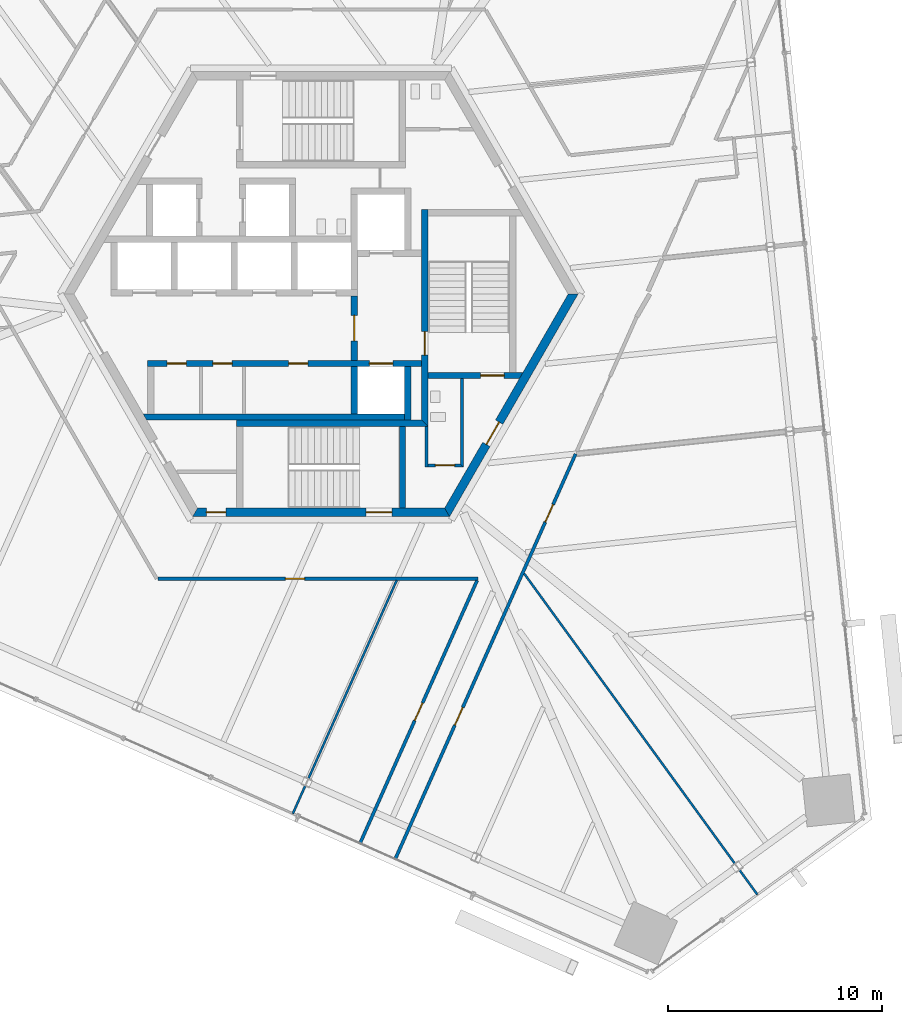
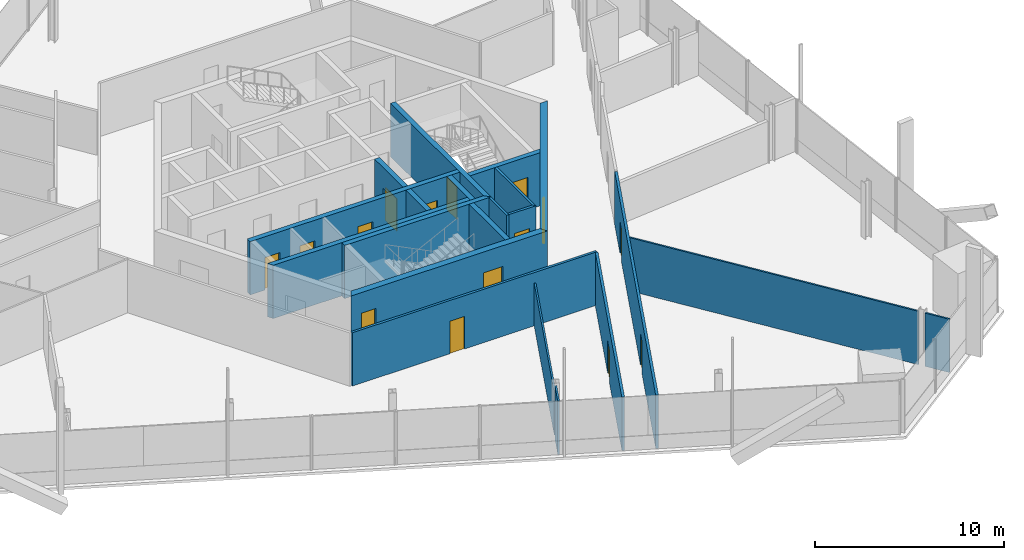
# One storey, part 11 of 21: 21 walls, 15 doors, 15 openings.
"""IFC4 building model written with IfcOpenShell, lengths in metres."""

from ifc_helpers import new_model, si_unit, direction, frame, frame_2d, origin, place, context, subcontext, project, spatial, polyline, rectangle, outline, extrude, source, transform, mapped, material, layer, layer_set, type_object, element, fill, save


model = new_model("IFC4")

# Units and contexts
model_context = context("Model", 3, precision=1e-05, world=origin(), true_north=direction((0.0, 1.0)))
body_context = subcontext(model_context, "Body", "Model", "MODEL_VIEW")
ifc_project = project(units=[si_unit("LENGTHUNIT", "METRE"), si_unit("AREAUNIT", "SQUARE_METRE"), si_unit("VOLUMEUNIT", "CUBIC_METRE"), si_unit("PLANEANGLEUNIT", "RADIAN"), si_unit("MASSUNIT", "GRAM", prefix="KILO")], contexts=[model_context])

# Site, building, storey
site_placement = place(None, origin())
site = spatial("IfcSite", under=ifc_project, at=site_placement, CompositionType="ELEMENT")
building_placement = place(site_placement, origin())
building = spatial("IfcBuilding", under=site, at=building_placement, Name="Triune Harvest Tower", CompositionType="ELEMENT")
storey_placement = place(building_placement, frame((0.0, 0.0, 87.300048828125)))
storey = spatial("IfcBuildingStorey", under=building, at=storey_placement, Name="L21", CompositionType="ELEMENT", Elevation=87.300048828125)

# Wall, opening, door
ifc_material_1 = material(Name="Gypsum board on steel studs", Category="steel")
ifc_layer_1 = layer(ifc_material_1, 0.14990234375)
ifc_layer_set_1 = layer_set([ifc_layer_1], Name="Gypsum board on steel studs")
wall_type_1 = type_object("IfcWallType", Name="Fire Partition 150 mm", PredefinedType="PARTITIONING", material=ifc_layer_set_1)
wall_1_placement = place(storey_placement, frame((-7.624267578125, -13.292236328125, 0.0), z_axis=(0.0, 0.0, 1.0), x_axis=(1.0, 0.0, 0.0)))
wall_1 = element("IfcWall", 1, at=wall_1_placement, inside=storey, type_object=wall_type_1, Name="Partition L21 019", PredefinedType="PARTITIONING", context=body_context, shape_type="SweptSolid", body=[
    extrude(rectangle(XDim=14.94384765625, YDim=0.14990234375, at=frame_2d((7.471923828125, 0.0))), origin(), (0.0, 0.0, 1.0), 3.43994140625),
])
opening_1_placement = place(wall_1_placement, frame((5.956298828125, 0.0, 0.0)))
opening_1 = element("IfcOpeningElement", 2, at=opening_1_placement, cuts=wall_1, Name="Opening L21-019", PredefinedType="OPENING", context=body_context, shape_type="SweptSolid", body=[
    extrude(rectangle(XDim=0.89990234375, YDim=2.10009765625, at=frame_2d((0.449951171875, 1.050048828125))), frame((0.0, 0.0849609375, 0.0), z_axis=(0.0, -1.0, 0.0), x_axis=(1.0, 0.0, 0.0)), (0.0, 0.0, 1.0), 0.169921875),
])
ifc_material_2 = material(Name="Timber and steel door set", Category="steel")
door_type_1 = type_object("IfcDoorType", Name="Single leaf door FD30 right hand 900 x 2100", OperationType="SINGLE_SWING_RIGHT", PredefinedType="DOOR", material=ifc_material_2)
door_1_placement = place(opening_1_placement, origin())
door_1 = element("IfcDoor", 3, at=door_1_placement, inside=storey, type_object=door_type_1, Name="Door L21-019 Open Office 21.19", OperationType="SINGLE_SWING_RIGHT", OverallHeight=2.10009765625, OverallWidth=0.89990234375, PredefinedType="DOOR", context=body_context, shape_type="SweptSolid", body=[
    extrude(rectangle(XDim=0.89990234375, YDim=2.10009765625, at=frame_2d((0.449951171875, 1.050048828125))), frame((0.0, 0.02490234375, 0.0), z_axis=(0.0, -1.0, 0.0), x_axis=(1.0, 0.0, 0.0)), (0.0, 0.0, 1.0), 0.050048828125),
])
fill(opening_1, door_1)

# Wall, openings, doors
wall_2_placement = place(storey_placement, frame((3.460205078125, -26.386474609375, 0.0), z_axis=(0.0, 0.0, 1.0), x_axis=(0.406728921901, 0.913548895292, 0.0)))
wall_2 = element("IfcWall", 4, at=wall_2_placement, inside=storey, type_object=wall_type_1, Name="Partition L21 042", PredefinedType="PARTITIONING", context=body_context, shape_type="SweptSolid", body=[
    extrude(rectangle(XDim=20.713623046875, YDim=0.14990234375, at=frame_2d((10.35693359375, 0.0))), origin(), (0.0, 0.0, 1.0), 3.43994140625),
])
opening_2_placement = place(wall_2_placement, frame((17.226318359375, 0.0, 0.0)))
opening_2 = element("IfcOpeningElement", 5, at=opening_2_placement, cuts=wall_2, Name="Opening L21-001", PredefinedType="OPENING", context=body_context, shape_type="SweptSolid", body=[
    extrude(rectangle(XDim=0.89990234375, YDim=2.10009765625, at=frame_2d((0.449951171875, 1.050048828125))), frame((0.0, 0.0849609375, 0.0), z_axis=(0.0, -1.0, 0.0), x_axis=(1.0, 0.0, 0.0)), (0.0, 0.0, 1.0), 0.169921875),
])
opening_3_placement = place(wall_2_placement, frame((6.85009765625, 0.0, 0.0)))
opening_3 = element("IfcOpeningElement", 6, at=opening_3_placement, cuts=wall_2, Name="Opening L21-021", PredefinedType="OPENING", context=body_context, shape_type="SweptSolid", body=[
    extrude(rectangle(XDim=0.89990234375, YDim=2.10009765625, at=frame_2d((0.449951171875, 1.050048828125))), frame((0.0, 0.0849609375, 0.0), z_axis=(0.0, -1.0, 0.0), x_axis=(1.0, 0.0, 0.0)), (0.0, 0.0, 1.0), 0.169921875),
])
ifc_material_3 = material(Name="Timber and steel door set", Category="steel")
door_type_2 = type_object("IfcDoorType", Name="Single leaf door FD30 left hand 900 x 2100", OperationType="SINGLE_SWING_LEFT", PredefinedType="DOOR", material=ifc_material_3)
door_2_placement = place(opening_2_placement, origin())
door_2 = element("IfcDoor", 7, at=door_2_placement, inside=storey, type_object=door_type_2, Name="Door L21-001 Office 21.01", OperationType="SINGLE_SWING_LEFT", OverallHeight=2.10009765625, OverallWidth=0.89990234375, PredefinedType="DOOR", context=body_context, shape_type="SweptSolid", body=[
    extrude(rectangle(XDim=0.89990234375, YDim=2.10009765625, at=frame_2d((0.449951171875, 1.050048828125))), frame((0.0, 0.02490234375, 0.0), z_axis=(0.0, -1.0, 0.0), x_axis=(1.0, 0.0, 0.0)), (0.0, 0.0, 1.0), 0.050048828125),
])
fill(opening_2, door_2)
door_3_placement = place(opening_3_placement, origin())
door_3 = element("IfcDoor", 8, at=door_3_placement, inside=storey, type_object=door_type_1, Name="Door L21-021 Office 21.21", OperationType="SINGLE_SWING_RIGHT", OverallHeight=2.10009765625, OverallWidth=0.89990234375, PredefinedType="DOOR", context=body_context, shape_type="SweptSolid", body=[
    extrude(rectangle(XDim=0.89990234375, YDim=2.10009765625, at=frame_2d((0.449951171875, 1.050048828125))), frame((0.0, 0.02490234375, 0.0), z_axis=(0.0, -1.0, 0.0), x_axis=(1.0, 0.0, 0.0)), (0.0, 0.0, 1.0), 0.050048828125),
])
fill(opening_3, door_3)

# Wall, opening, door
wall_3_placement = place(storey_placement, frame((1.81591796875, -25.654296875, 0.0), z_axis=(0.0, 0.0, 1.0), x_axis=(0.406734939116, 0.913546216292, 0.0)))
wall_3 = element("IfcWall", 9, at=wall_3_placement, inside=storey, type_object=wall_type_1, Name="Partition L21 048", PredefinedType="PARTITIONING", context=body_context, shape_type="SweptSolid", body=[
    extrude(rectangle(XDim=13.44189453125, YDim=0.14990234375, at=frame_2d((6.720947265625, 0.0))), origin(), (0.0, 0.0, 1.0), 3.43994140625),
])
opening_4_placement = place(wall_3_placement, frame((6.281982421875, 0.0, 0.0)))
opening_4 = element("IfcOpeningElement", 10, at=opening_4_placement, cuts=wall_3, Name="Opening L21-020", PredefinedType="OPENING", context=body_context, shape_type="SweptSolid", body=[
    extrude(rectangle(XDim=0.89990234375, YDim=2.10009765625, at=frame_2d((0.449951171875, 1.050048828125))), frame((0.0, 0.0849609375, 0.0), z_axis=(0.0, -1.0, 0.0), x_axis=(1.0, 0.0, 0.0)), (0.0, 0.0, 1.0), 0.169921875),
])
door_4_placement = place(opening_4_placement, origin())
door_4 = element("IfcDoor", 11, at=door_4_placement, inside=storey, type_object=door_type_2, Name="Door L21-020 Office 21.20", OperationType="SINGLE_SWING_LEFT", OverallHeight=2.10009765625, OverallWidth=0.89990234375, PredefinedType="DOOR", context=body_context, shape_type="SweptSolid", body=[
    extrude(rectangle(XDim=0.89990234375, YDim=2.10009765625, at=frame_2d((0.449951171875, 1.050048828125))), frame((0.0, 0.02490234375, 0.0), z_axis=(0.0, -1.0, 0.0), x_axis=(1.0, 0.0, 0.0)), (0.0, 0.0, 1.0), 0.050048828125),
])
fill(opening_4, door_4)

# Walls
ifc_material_4 = material(Name="Gypsum board on steel studs", Category="steel")
ifc_layer_2 = layer(ifc_material_4, 0.10009765625)
ifc_layer_set_2 = layer_set([ifc_layer_2], Name="Gypsum board on steel studs")
wall_type_2 = type_object("IfcWallType", Name="Partition 100 mm", PredefinedType="PARTITIONING", material=ifc_layer_set_2)
wall_4_placement = place(storey_placement, frame((9.482421875, -13.051513671875, 0.0), z_axis=(0.0, 0.0, 1.0), x_axis=(0.587793365395, -0.809011099799, 0.0)))
element("IfcWall", 12, at=wall_4_placement, inside=storey, type_object=wall_type_2, Name="Partition L21 016", PredefinedType="PARTITIONING", context=body_context, shape_type="SweptSolid", body=[
    extrude(rectangle(XDim=16.73193359375, YDim=0.10009765625, at=frame_2d((8.365966796875, 0.0))), origin(), (0.0, 0.0, 1.0), 3.43994140625),
])
wall_5_placement = place(storey_placement, frame((-0.58984375, -22.62158203125, 0.0), z_axis=(0.0, 0.0, 1.0), x_axis=(0.406757654294, 0.913536102556, 0.0)))
element("IfcWall", 13, at=wall_5_placement, inside=storey, type_object=wall_type_2, Name="Partition L21 051", PredefinedType="PARTITIONING", context=body_context, shape_type="SweptSolid", body=[
    extrude(rectangle(XDim=10.132080078125, YDim=0.10009765625, at=frame_2d((5.06591796875, 0.0))), origin(), (0.0, 0.0, 1.0), 2.7568359375),
])

# Wall, openings, doors
ifc_material_5 = material(Name="Concrete 70 MPa", Category="concrete")
ifc_layer_3 = layer(ifc_material_5, 0.39990234375)
ifc_layer_set_3 = layer_set([ifc_layer_3], Name="Concrete 70 MPa")
wall_type_3 = type_object("IfcWallType", Name="Core wall 400", PredefinedType="SHEAR", material=ifc_layer_set_3)
shared_shape_1 = source(origin(), body_context, "Body", "SweptSolid", [
    extrude(outline(polyline([(-0.115478515625, -0.199951171875), (11.884521484375, -0.199951171875), (11.653564453125, 0.199951171875), (0.115478515625, 0.199951171875), (-0.115478515625, -0.199951171875)])), origin(), (0.0, 0.0, 1.0), 3.43994140625),
])
wall_6_placement = place(storey_placement, frame((-5.884521484375, -10.1923828125, 0.0), z_axis=(0.0, 0.0, 1.0), x_axis=(1.0, 0.0, 0.0)))
wall_6 = element("IfcWall", 14, at=wall_6_placement, inside=storey, type_object=wall_type_3, Name="Hexagon 4 wall", PredefinedType="SHEAR", context=body_context, shape_type="MappedRepresentation", body=[
    mapped(shared_shape_1, transform((0.0, 0.0, 0.0), scale=1.0)),
])
opening_5_placement = place(wall_6_placement, frame((7.984619140625, 0.0, 0.0)))
opening_5 = element("IfcOpeningElement", 15, at=opening_5_placement, cuts=wall_6, Name="Opening CD-S2P", PredefinedType="OPENING", context=body_context, shape_type="SweptSolid", body=[
    extrude(rectangle(XDim=1.199951171875, YDim=2.10009765625, at=frame_2d((0.60009765625, 1.050048828125))), frame((0.0, 0.2099609375, 0.0), z_axis=(0.0, -1.0, 0.0), x_axis=(1.0, 0.0, 0.0)), (0.0, 0.0, 1.0), 0.419921875),
])
opening_6_placement = place(wall_6_placement, frame((0.534423828125, 0.0, 0.0)))
opening_6 = element("IfcOpeningElement", 16, at=opening_6_placement, cuts=wall_6, Name="Opening CD-SWS", PredefinedType="OPENING", context=body_context, shape_type="SweptSolid", body=[
    extrude(rectangle(XDim=0.89990234375, YDim=2.10009765625, at=frame_2d((0.449951171875, 1.050048828125))), frame((0.0, 0.2099609375, 0.0), z_axis=(0.0, -1.0, 0.0), x_axis=(1.0, 0.0, 0.0)), (0.0, 0.0, 1.0), 0.419921875),
])
ifc_material_6 = material(Name="Steel S235", Category="steel")
door_type_3 = type_object("IfcDoorType", Name="Riser door 900 FD120", OperationType="SINGLE_SWING_LEFT", PredefinedType="DOOR", material=ifc_material_6)
door_5_placement = place(opening_6_placement, frame((0.89990234375, 0.0, 0.0), z_axis=(0.0, 0.0, 1.0), x_axis=(-1.0, 0.0, 0.0)))
door_5 = element("IfcDoor", 17, at=door_5_placement, inside=storey, type_object=door_type_3, Name="Door CD-SWS", OperationType="SINGLE_SWING_RIGHT", OverallHeight=2.10009765625, OverallWidth=0.89990234375, PredefinedType="DOOR", context=body_context, shape_type="SweptSolid", body=[
    extrude(rectangle(XDim=0.89990234375, YDim=2.10009765625, at=frame_2d((0.449951171875, 1.050048828125))), frame((0.0, 0.02490234375, 0.0), z_axis=(0.0, -1.0, 0.0), x_axis=(1.0, 0.0, 0.0)), (0.0, 0.0, 1.0), 0.050048828125),
])
fill(opening_6, door_5)
ifc_material_7 = material(Name="Steel S235", Category="steel")
door_type_4 = type_object("IfcDoorType", Name="Stair door 1200 FD120", OperationType="SINGLE_SWING_LEFT", PredefinedType="DOOR", material=ifc_material_7)
door_6_placement = place(opening_5_placement, frame((1.199951171875, 0.0, 0.0), z_axis=(0.0, 0.0, 1.0), x_axis=(-1.0, 0.0, 0.0)))
door_6 = element("IfcDoor", 18, at=door_6_placement, inside=storey, type_object=door_type_4, Name="Door CD-S2P", OperationType="SINGLE_SWING_RIGHT", OverallHeight=2.10009765625, OverallWidth=1.199951171875, PredefinedType="DOOR", context=body_context, shape_type="SweptSolid", body=[
    extrude(rectangle(XDim=1.199951171875, YDim=2.10009765625, at=frame_2d((0.60009765625, 1.050048828125))), frame((0.0, 0.02490234375, 0.0), z_axis=(0.0, -1.0, 0.0), x_axis=(1.0, 0.0, 0.0)), (0.0, 0.0, 1.0), 0.050048828125),
])
fill(opening_5, door_6)

# Wall, opening, door
wall_7_placement = place(storey_placement, frame((5.884521484375, -10.1923828125, 0.0), z_axis=(0.0, 0.0, 1.0), x_axis=(0.499996592174, 0.866027371285, 0.0)))
wall_7 = element("IfcWall", 19, at=wall_7_placement, inside=storey, type_object=wall_type_3, Name="Hexagon 5 wall", PredefinedType="SHEAR", context=body_context, shape_type="MappedRepresentation", body=[
    mapped(shared_shape_1, transform((0.0, 0.0, 0.0), scale=1.0)),
])
opening_7_placement = place(wall_7_placement, frame((3.66455078125, 0.0, 0.0)))
opening_7 = element("IfcOpeningElement", 20, at=opening_7_placement, cuts=wall_7, Name="Opening CD-DP", PredefinedType="OPENING", context=body_context, shape_type="SweptSolid", body=[
    extrude(rectangle(XDim=1.199951171875, YDim=2.10009765625, at=frame_2d((0.60009765625, 1.050048828125))), frame((0.0, 0.2099609375, 0.0), z_axis=(0.0, -1.0, 0.0), x_axis=(1.0, 0.0, 0.0)), (0.0, 0.0, 1.0), 0.419921875),
])
door_7_placement = place(opening_7_placement, frame((1.199951171875, 0.0, 0.0), z_axis=(0.0, 0.0, 1.0), x_axis=(-1.0, 0.0, 0.0)))
door_7 = element("IfcDoor", 21, at=door_7_placement, inside=storey, type_object=door_type_4, Name="Door CD-DP", OperationType="SINGLE_SWING_RIGHT", OverallHeight=2.10009765625, OverallWidth=1.199951171875, PredefinedType="DOOR", context=body_context, shape_type="SweptSolid", body=[
    extrude(rectangle(XDim=1.199951171875, YDim=2.10009765625, at=frame_2d((0.60009765625, 1.050048828125))), frame((0.0, 0.02490234375, 0.0), z_axis=(0.0, -1.0, 0.0), x_axis=(1.0, 0.0, 0.0)), (0.0, 0.0, 1.0), 0.050048828125),
])
fill(opening_7, door_7)

# Wall
ifc_material_8 = material(Name="Concrete 70 MPa", Category="concrete")
ifc_layer_4 = layer(ifc_material_8, 0.300048828125)
ifc_layer_set_4 = layer_set([ifc_layer_4], Name="Concrete 70 MPa")
wall_type_4 = type_object("IfcWallType", Name="Core wall 300", PredefinedType="SHEAR", material=ifc_layer_set_4)
shared_shape_2 = source(origin(), body_context, "Body", "SweptSolid", [
    extrude(rectangle(XDim=2.5, YDim=0.300048828125, at=frame_2d((1.25, 0.0))), origin(), (0.0, 0.0, 1.0), 3.43994140625),
])
wall_8_placement = place(storey_placement, frame((4.050048828125, -5.889892578125, 0.0), z_axis=(0.0, 0.0, 1.0), x_axis=(0.0, 1.0, 0.0)))
element("IfcWall", 22, at=wall_8_placement, inside=storey, type_object=wall_type_4, Name="Ff2 east wall", PredefinedType="SHEAR", context=body_context, shape_type="MappedRepresentation", body=[
    mapped(shared_shape_2, transform((0.0, 0.0, 0.0), scale=1.0)),
])

# Wall, opening, door
shared_shape_3 = source(origin(), body_context, "Body", "SweptSolid", [
    extrude(rectangle(XDim=3.0, YDim=0.300048828125, at=frame_2d((1.5, 0.0))), origin(), (0.0, 0.0, 1.0), 3.43994140625),
])
wall_9_placement = place(storey_placement, frame((1.550048828125, -3.090087890625, 0.0), z_axis=(0.0, 0.0, 1.0), x_axis=(0.0, 1.0, 0.0)))
wall_9 = element("IfcWall", 23, at=wall_9_placement, inside=storey, type_object=wall_type_4, Name="Ff lobby west wall", PredefinedType="SHEAR", context=body_context, shape_type="MappedRepresentation", body=[
    mapped(shared_shape_3, transform((0.0, 0.0, 0.0), scale=1.0)),
])
opening_8_placement = place(wall_9_placement, frame((0.89990234375, 0.0, 0.0)))
opening_8 = element("IfcOpeningElement", 24, at=opening_8_placement, cuts=wall_9, Name="Opening CD-FL", PredefinedType="OPENING", context=body_context, shape_type="SweptSolid", body=[
    extrude(rectangle(XDim=1.199951171875, YDim=2.10009765625, at=frame_2d((0.60009765625, 1.050048828125))), frame((0.0, 0.16015625, 0.0), z_axis=(0.0, -1.0, 0.0), x_axis=(1.0, 0.0, 0.0)), (0.0, 0.0, 1.0), 0.320068359375),
])
ifc_material_9 = material(Name="Steel S235", Category="steel")
door_type_5 = type_object("IfcDoorType", Name="Firefighters' lobby door 1200 FD120", OperationType="SINGLE_SWING_LEFT", PredefinedType="DOOR", material=ifc_material_9)
door_8_placement = place(opening_8_placement, frame((1.199951171875, 0.0, 0.0), z_axis=(0.0, 0.0, 1.0), x_axis=(-1.0, 0.0, 0.0)))
door_8 = element("IfcDoor", 25, at=door_8_placement, inside=storey, type_object=door_type_5, Name="Door CD-FL", OperationType="SINGLE_SWING_RIGHT", OverallHeight=2.10009765625, OverallWidth=1.199951171875, PredefinedType="DOOR", context=body_context, shape_type="SweptSolid", body=[
    extrude(rectangle(XDim=1.199951171875, YDim=2.10009765625, at=frame_2d((0.60009765625, 1.050048828125))), frame((0.0, 0.02490234375, 0.0), z_axis=(0.0, -1.0, 0.0), x_axis=(1.0, 0.0, 0.0)), (0.0, 0.0, 1.0), 0.050048828125),
])
fill(opening_8, door_8)

# Wall, openings, doors
shared_shape_4 = source(origin(), body_context, "Body", "SweptSolid", [
    extrude(rectangle(XDim=12.800048828125, YDim=0.300048828125, at=frame_2d((6.39990234375, 0.0))), origin(), (0.0, 0.0, 1.0), 3.43994140625),
])
wall_10_placement = place(storey_placement, frame((-8.10009765625, -3.239990234375, 0.0), z_axis=(0.0, 0.0, 1.0), x_axis=(1.0, 0.0, 0.0)))
wall_10 = element("IfcWall", 26, at=wall_10_placement, inside=storey, type_object=wall_type_4, Name="South front wall", PredefinedType="SHEAR", context=body_context, shape_type="MappedRepresentation", body=[
    mapped(shared_shape_4, transform((0.0, 0.0, 0.0), scale=1.0)),
])
opening_9_placement = place(wall_10_placement, frame((0.91259765625, 0.0, 0.0)))
opening_9 = element("IfcOpeningElement", 27, at=opening_9_placement, cuts=wall_10, Name="Opening CD-RS1", PredefinedType="OPENING", context=body_context, shape_type="SweptSolid", body=[
    extrude(rectangle(XDim=0.89990234375, YDim=2.10009765625, at=frame_2d((0.449951171875, 1.050048828125))), frame((0.0, 0.16015625, 0.0), z_axis=(0.0, -1.0, 0.0), x_axis=(1.0, 0.0, 0.0)), (0.0, 0.0, 1.0), 0.320068359375),
])
opening_10_placement = place(wall_10_placement, frame((3.050048828125, 0.0, 0.0)))
opening_10 = element("IfcOpeningElement", 28, at=opening_10_placement, cuts=wall_10, Name="Opening CD-RS2", PredefinedType="OPENING", context=body_context, shape_type="SweptSolid", body=[
    extrude(rectangle(XDim=0.89990234375, YDim=2.10009765625, at=frame_2d((0.449951171875, 1.050048828125))), frame((0.0, 0.16015625, 0.0), z_axis=(0.0, -1.0, 0.0), x_axis=(1.0, 0.0, 0.0)), (0.0, 0.0, 1.0), 0.320068359375),
])
opening_11_placement = place(wall_10_placement, frame((6.58740234375, 0.0, 0.0)))
opening_11 = element("IfcOpeningElement", 29, at=opening_11_placement, cuts=wall_10, Name="Opening CD-RS3", PredefinedType="OPENING", context=body_context, shape_type="SweptSolid", body=[
    extrude(rectangle(XDim=0.89990234375, YDim=2.10009765625, at=frame_2d((0.449951171875, 1.050048828125))), frame((0.0, 0.16015625, 0.0), z_axis=(0.0, -1.0, 0.0), x_axis=(1.0, 0.0, 0.0)), (0.0, 0.0, 1.0), 0.320068359375),
])
opening_12_placement = place(wall_10_placement, frame((10.35009765625, 0.0, 0.0)))
opening_12 = element("IfcOpeningElement", 30, at=opening_12_placement, cuts=wall_10, Name="Opening LD-FF2-21", PredefinedType="OPENING", context=body_context, shape_type="SweptSolid", body=[
    extrude(rectangle(XDim=1.10009765625, YDim=2.10009765625, at=frame_2d((0.550048828125, 1.050048828125))), frame((0.0, 0.16015625, 0.0), z_axis=(0.0, -1.0, 0.0), x_axis=(1.0, 0.0, 0.0)), (0.0, 0.0, 1.0), 0.320068359375),
])
ifc_material_10 = material(Name="Stainless steel AISI 304", Category="steel")
door_type_6 = type_object("IfcDoorType", Name="Landing door 1100 x 2100", OperationType="DOUBLE_DOOR_SLIDING", PredefinedType="DOOR", material=ifc_material_10)
door_9_placement = place(opening_12_placement, origin())
door_9 = element("IfcDoor", 31, at=door_9_placement, inside=storey, type_object=door_type_6, Name="Door LD-FF2-21", OperationType="DOUBLE_DOOR_SLIDING", OverallHeight=2.10009765625, OverallWidth=1.10009765625, PredefinedType="DOOR", context=body_context, shape_type="SweptSolid", body=[
    extrude(rectangle(XDim=1.10009765625, YDim=2.10009765625, at=frame_2d((0.550048828125, 1.050048828125))), frame((0.0, 0.02490234375, 0.0), z_axis=(0.0, -1.0, 0.0), x_axis=(1.0, 0.0, 0.0)), (0.0, 0.0, 1.0), 0.050048828125),
])
fill(opening_12, door_9)
door_10_placement = place(opening_9_placement, origin())
door_10 = element("IfcDoor", 32, at=door_10_placement, inside=storey, type_object=door_type_3, Name="Door CD-RS1", OperationType="SINGLE_SWING_LEFT", OverallHeight=2.10009765625, OverallWidth=0.89990234375, PredefinedType="DOOR", context=body_context, shape_type="SweptSolid", body=[
    extrude(rectangle(XDim=0.89990234375, YDim=2.10009765625, at=frame_2d((0.449951171875, 1.050048828125))), frame((0.0, 0.02490234375, 0.0), z_axis=(0.0, -1.0, 0.0), x_axis=(1.0, 0.0, 0.0)), (0.0, 0.0, 1.0), 0.050048828125),
])
fill(opening_9, door_10)
door_11_placement = place(opening_10_placement, origin())
door_11 = element("IfcDoor", 33, at=door_11_placement, inside=storey, type_object=door_type_3, Name="Door CD-RS2", OperationType="SINGLE_SWING_LEFT", OverallHeight=2.10009765625, OverallWidth=0.89990234375, PredefinedType="DOOR", context=body_context, shape_type="SweptSolid", body=[
    extrude(rectangle(XDim=0.89990234375, YDim=2.10009765625, at=frame_2d((0.449951171875, 1.050048828125))), frame((0.0, 0.02490234375, 0.0), z_axis=(0.0, -1.0, 0.0), x_axis=(1.0, 0.0, 0.0)), (0.0, 0.0, 1.0), 0.050048828125),
])
fill(opening_10, door_11)
door_12_placement = place(opening_11_placement, origin())
door_12 = element("IfcDoor", 34, at=door_12_placement, inside=storey, type_object=door_type_3, Name="Door CD-RS3", OperationType="SINGLE_SWING_LEFT", OverallHeight=2.10009765625, OverallWidth=0.89990234375, PredefinedType="DOOR", context=body_context, shape_type="SweptSolid", body=[
    extrude(rectangle(XDim=0.89990234375, YDim=2.10009765625, at=frame_2d((0.449951171875, 1.050048828125))), frame((0.0, 0.02490234375, 0.0), z_axis=(0.0, -1.0, 0.0), x_axis=(1.0, 0.0, 0.0)), (0.0, 0.0, 1.0), 0.050048828125),
])
fill(opening_11, door_12)

# Walls
shared_shape_5 = source(origin(), body_context, "Body", "SweptSolid", [
    extrude(outline(polyline([(12.0, -0.14990234375), (-0.039794921875, -0.14990234375), (-0.212890625, 0.14990234375), (12.0, 0.14990234375), (12.0, -0.14990234375)])), origin(), (0.0, 0.0, 1.0), 3.43994140625),
])
wall_11_placement = place(storey_placement, frame((-8.10009765625, -5.739990234375, 0.0), z_axis=(0.0, 0.0, 1.0), x_axis=(1.0, 0.0, 0.0)))
element("IfcWall", 35, at=wall_11_placement, inside=storey, type_object=wall_type_4, Name="South back wall", PredefinedType="SHEAR", context=body_context, shape_type="MappedRepresentation", body=[
    mapped(shared_shape_5, transform((0.0, 0.0, 0.0), scale=1.0)),
])
shared_shape_6 = source(origin(), body_context, "Body", "SweptSolid", [
    extrude(rectangle(XDim=2.2001953125, YDim=0.300048828125, at=frame_2d((1.10009765625, 0.0))), origin(), (0.0, 0.0, 1.0), 3.43994140625),
])
wall_12_placement = place(storey_placement, frame((1.550048828125, -5.590087890625, 0.0), z_axis=(0.0, 0.0, 1.0), x_axis=(0.0, 1.0, 0.0)))
element("IfcWall", 36, at=wall_12_placement, inside=storey, type_object=wall_type_4, Name="Ff2 west wall", PredefinedType="SHEAR", context=body_context, shape_type="MappedRepresentation", body=[
    mapped(shared_shape_6, transform((0.0, 0.0, 0.0), scale=1.0)),
])

# Wall, opening, door
shared_shape_7 = source(origin(), body_context, "Body", "SweptSolid", [
    extrude(outline(polyline([(-0.14990234375, -0.14990234375), (9.989990234375, -0.14990234375), (9.989990234375, 0.14990234375), (0.14990234375, 0.14990234375), (-0.14990234375, -0.14990234375)])), origin(), (0.0, 0.0, 1.0), 3.43994140625),
])
wall_13_placement = place(storey_placement, frame((4.85009765625, -6.0400390625, 0.0), z_axis=(0.0, 0.0, 1.0), x_axis=(0.0, 1.0, 0.0)))
wall_13 = element("IfcWall", 37, at=wall_13_placement, inside=storey, type_object=wall_type_4, Name="Stair e west wall", PredefinedType="SHEAR", context=body_context, shape_type="MappedRepresentation", body=[
    mapped(shared_shape_7, transform((0.0, 0.0, 0.0), scale=1.0)),
])
opening_13_placement = place(wall_13_placement, frame((3.18994140625, 0.0, 0.0)))
opening_13 = element("IfcOpeningElement", 38, at=opening_13_placement, cuts=wall_13, Name="Opening CD-S3L", PredefinedType="OPENING", context=body_context, shape_type="SweptSolid", body=[
    extrude(rectangle(XDim=1.10009765625, YDim=2.10009765625, at=frame_2d((0.550048828125, 1.050048828125))), frame((0.0, 0.16015625, 0.0), z_axis=(0.0, -1.0, 0.0), x_axis=(1.0, 0.0, 0.0)), (0.0, 0.0, 1.0), 0.320068359375),
])
ifc_material_11 = material(Name="Steel S235", Category="steel")
door_type_7 = type_object("IfcDoorType", Name="Stair door 1100 FD120", OperationType="SINGLE_SWING_LEFT", PredefinedType="DOOR", material=ifc_material_11)
door_13_placement = place(opening_13_placement, frame((1.10009765625, 0.0, 0.0), z_axis=(0.0, 0.0, 1.0), x_axis=(-1.0, 0.0, 0.0)))
door_13 = element("IfcDoor", 39, at=door_13_placement, inside=storey, type_object=door_type_7, Name="Door CD-S3L", OperationType="SINGLE_SWING_RIGHT", OverallHeight=2.10009765625, OverallWidth=1.10009765625, PredefinedType="DOOR", context=body_context, shape_type="SweptSolid", body=[
    extrude(rectangle(XDim=1.10009765625, YDim=2.10009765625, at=frame_2d((0.550048828125, 1.050048828125))), frame((0.0, 0.02490234375, 0.0), z_axis=(0.0, -1.0, 0.0), x_axis=(1.0, 0.0, 0.0)), (0.0, 0.0, 1.0), 0.050048828125),
])
fill(opening_13, door_13)

shared_shape_8 = source(origin(), body_context, "Body", "SweptSolid", [
    extrude(outline(polyline([(0.0, -0.14990234375), (0.0, 0.14990234375), (4.43310546875, 0.14990234375), (4.260009765625, -0.14990234375), (0.0, -0.14990234375)])), origin(), (0.0, 0.0, 1.0), 3.43994140625),
])
wall_14_placement = place(storey_placement, frame((5.0, -3.800048828125, 0.0), z_axis=(0.0, 0.0, 1.0), x_axis=(1.0, 0.0, 0.0)))
wall_14 = element("IfcWall", 40, at=wall_14_placement, inside=storey, type_object=wall_type_4, Name="Stair e south wall", PredefinedType="SHEAR", context=body_context, shape_type="MappedRepresentation", body=[
    mapped(shared_shape_8, transform((0.0, 0.0, 0.0), scale=1.0)),
])
opening_14_placement = place(wall_14_placement, frame((2.449951171875, 0.0, 0.0)))
opening_14 = element("IfcOpeningElement", 41, at=opening_14_placement, cuts=wall_14, Name="Opening CD-S3D", PredefinedType="OPENING", context=body_context, shape_type="SweptSolid", body=[
    extrude(rectangle(XDim=1.10009765625, YDim=2.10009765625, at=frame_2d((0.550048828125, 1.050048828125))), frame((0.0, 0.16015625, 0.0), z_axis=(0.0, -1.0, 0.0), x_axis=(1.0, 0.0, 0.0)), (0.0, 0.0, 1.0), 0.320068359375),
])
door_14_placement = place(opening_14_placement, frame((1.10009765625, 0.0, 0.0), z_axis=(0.0, 0.0, 1.0), x_axis=(-1.0, 0.0, 0.0)))
door_14 = element("IfcDoor", 42, at=door_14_placement, inside=storey, type_object=door_type_7, Name="Door CD-S3D", OperationType="SINGLE_SWING_RIGHT", OverallHeight=2.10009765625, OverallWidth=1.10009765625, PredefinedType="DOOR", context=body_context, shape_type="SweptSolid", body=[
    extrude(rectangle(XDim=1.10009765625, YDim=2.10009765625, at=frame_2d((0.550048828125, 1.050048828125))), frame((0.0, 0.02490234375, 0.0), z_axis=(0.0, -1.0, 0.0), x_axis=(1.0, 0.0, 0.0)), (0.0, 0.0, 1.0), 0.050048828125),
])
fill(opening_14, door_14)

# Walls
shared_shape_9 = source(origin(), body_context, "Body", "SweptSolid", [
    extrude(outline(polyline([(0.0, -0.14990234375), (8.949951171875, -0.14990234375), (8.64990234375, 0.14990234375), (0.0, 0.14990234375), (0.0, -0.14990234375)])), origin(), (0.0, 0.0, 1.0), 3.43994140625),
])
wall_15_placement = place(storey_placement, frame((-3.949951171875, -6.0400390625, 0.0), z_axis=(0.0, 0.0, 1.0), x_axis=(1.0, 0.0, 0.0)))
element("IfcWall", 43, at=wall_15_placement, inside=storey, type_object=wall_type_4, Name="Stair s north wall", PredefinedType="SHEAR", context=body_context, shape_type="MappedRepresentation", body=[
    mapped(shared_shape_9, transform((0.0, 0.0, 0.0), scale=1.0)),
])
shared_shape_10 = source(origin(), body_context, "Body", "SweptSolid", [
    extrude(outline(polyline([(3.800048828125, -0.14990234375), (-0.00439453125, -0.14990234375), (-0.00439453125, 0.14990234375), (3.800048828125, 0.14990234375), (3.800048828125, -0.14990234375)])), origin(), (0.0, 0.0, 1.0), 3.43994140625),
])
wall_16_placement = place(storey_placement, frame((3.800048828125, -9.989990234375, 0.0), z_axis=(0.0, 0.0, 1.0), x_axis=(0.0, 1.0, 0.0)))
element("IfcWall", 44, at=wall_16_placement, inside=storey, type_object=wall_type_4, Name="Stair s east wall", PredefinedType="SHEAR", context=body_context, shape_type="MappedRepresentation", body=[
    mapped(shared_shape_10, transform((0.0, 0.0, 0.0), scale=1.0)),
])

# Wall, opening, door
ifc_material_12 = material(Name="Concrete masonry unit", Category="masonry")
ifc_layer_5 = layer(ifc_material_12, 0.14990234375)
ifc_layer_set_5 = layer_set([ifc_layer_5], Name="Concrete masonry unit")
wall_type_5 = type_object("IfcWallType", Name="Block partition 150 unrated", PredefinedType="PARTITIONING", material=ifc_layer_set_5)
shared_shape_11 = source(origin(), body_context, "Body", "SweptSolid", [
    extrude(outline(polyline([(0.0, -0.074951171875), (1.64990234375, -0.074951171875), (1.5, 0.074951171875), (0.0, 0.074951171875), (0.0, -0.074951171875)])), origin(), (0.0, 0.0, 1.0), 3.43994140625),
])
wall_17_placement = place(storey_placement, frame((5.0, -8.0, 0.0), z_axis=(0.0, 0.0, 1.0), x_axis=(1.0, 0.0, 0.0)))
wall_17 = element("IfcWall", 45, at=wall_17_placement, inside=storey, type_object=wall_type_5, Name="Wc acc south wall", PredefinedType="PARTITIONING", context=body_context, shape_type="MappedRepresentation", body=[
    mapped(shared_shape_11, transform((0.0, 0.0, 0.0), scale=1.0)),
])
opening_15_placement = place(wall_17_placement, frame((0.33740234375, 0.0, 0.0)))
opening_15 = element("IfcOpeningElement", 46, at=opening_15_placement, cuts=wall_17, Name="Opening CD-WA", PredefinedType="OPENING", context=body_context, shape_type="SweptSolid", body=[
    extrude(rectangle(XDim=0.89990234375, YDim=2.10009765625, at=frame_2d((0.449951171875, 1.050048828125))), frame((0.0, 0.0849609375, 0.0), z_axis=(0.0, -1.0, 0.0), x_axis=(1.0, 0.0, 0.0)), (0.0, 0.0, 1.0), 0.169921875),
])
ifc_material_13 = material(Name="Timber C24", Category="wood")
door_type_8 = type_object("IfcDoorType", Name="WC door 900", OperationType="SINGLE_SWING_LEFT", PredefinedType="DOOR", material=ifc_material_13)
door_15_placement = place(opening_15_placement, origin())
door_15 = element("IfcDoor", 47, at=door_15_placement, inside=storey, type_object=door_type_8, Name="Door CD-WA", OperationType="SINGLE_SWING_LEFT", OverallHeight=2.10009765625, OverallWidth=0.89990234375, PredefinedType="DOOR", context=body_context, shape_type="SweptSolid", body=[
    extrude(rectangle(XDim=0.89990234375, YDim=2.10009765625, at=frame_2d((0.449951171875, 1.050048828125))), frame((0.0, 0.02490234375, 0.0), z_axis=(0.0, -1.0, 0.0), x_axis=(1.0, 0.0, 0.0)), (0.0, 0.0, 1.0), 0.050048828125),
])
fill(opening_15, door_15)

# Walls
shared_shape_12 = source(origin(), body_context, "Body", "SweptSolid", [
    extrude(outline(polyline([(-0.074951171875, -0.074951171875), (4.050048828125, -0.074951171875), (4.050048828125, 0.074951171875), (0.074951171875, 0.074951171875), (-0.074951171875, -0.074951171875)])), origin(), (0.0, 0.0, 1.0), 3.43994140625),
])
wall_18_placement = place(storey_placement, frame((6.574951171875, -8.0, 0.0), z_axis=(0.0, 0.0, 1.0), x_axis=(0.0, 1.0, 0.0)))
element("IfcWall", 48, at=wall_18_placement, inside=storey, type_object=wall_type_5, Name="Wc acc east wall", PredefinedType="PARTITIONING", context=body_context, shape_type="MappedRepresentation", body=[
    mapped(shared_shape_12, transform((0.0, 0.0, 0.0), scale=1.0)),
])
shared_shape_13 = source(origin(), body_context, "Body", "SweptSolid", [
    extrude(rectangle(XDim=1.885009765625, YDim=0.14990234375, at=frame_2d((0.9423828125, 0.0))), origin(), (0.0, 0.0, 1.0), 3.43994140625),
])
wall_19_placement = place(storey_placement, frame((4.925048828125, -8.074951171875, 0.0), z_axis=(0.0, 0.0, 1.0), x_axis=(0.0, 1.0, 0.0)))
element("IfcWall", 49, at=wall_19_placement, inside=storey, type_object=wall_type_5, Name="Wc acc west wall", PredefinedType="PARTITIONING", context=body_context, shape_type="MappedRepresentation", body=[
    mapped(shared_shape_13, transform((0.0, 0.0, 0.0), scale=1.0)),
])
shared_shape_14 = source(origin(), body_context, "Body", "SweptSolid", [
    extrude(rectangle(XDim=1.41845703125, YDim=0.10009765625, at=frame_2d((0.709228515625, 0.0))), origin(), (0.0, 0.0, 1.0), 3.43994140625),
])
for number, where, z_axis, x_axis, name in (
    (50, (19.536865234375, -26.890380859375, 0.0), (0.0, 0.0, 1.0), (0.587813429905, -0.808996521392, 0.0), "Partition L21 017"),
    (51, (-1.318603515625, -24.2587890625, 0.0), (0.0, 0.0, 1.0), (0.406697305895, 0.913562970669, 0.0), "Partition L21 050"),
):
    element("IfcWall", number, at=place(storey_placement, frame(where, z_axis=z_axis, x_axis=x_axis)), inside=storey, type_object=wall_type_2, Name=name, PredefinedType="PARTITIONING", context=body_context, shape_type="MappedRepresentation", body=[
        mapped(shared_shape_14, transform((0.0, 0.0, 0.0), scale=1.0)),
    ])

save(model, "model.ifc")
